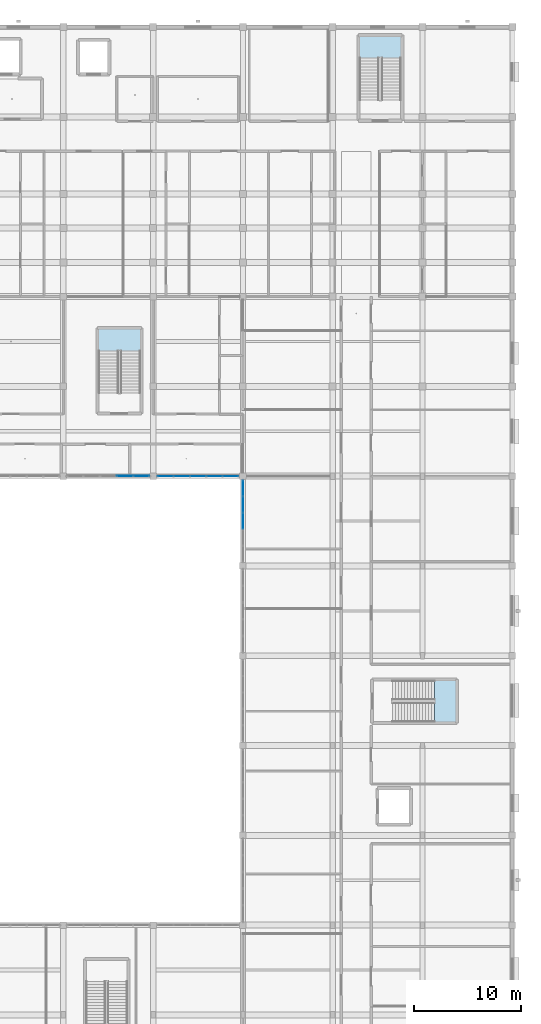
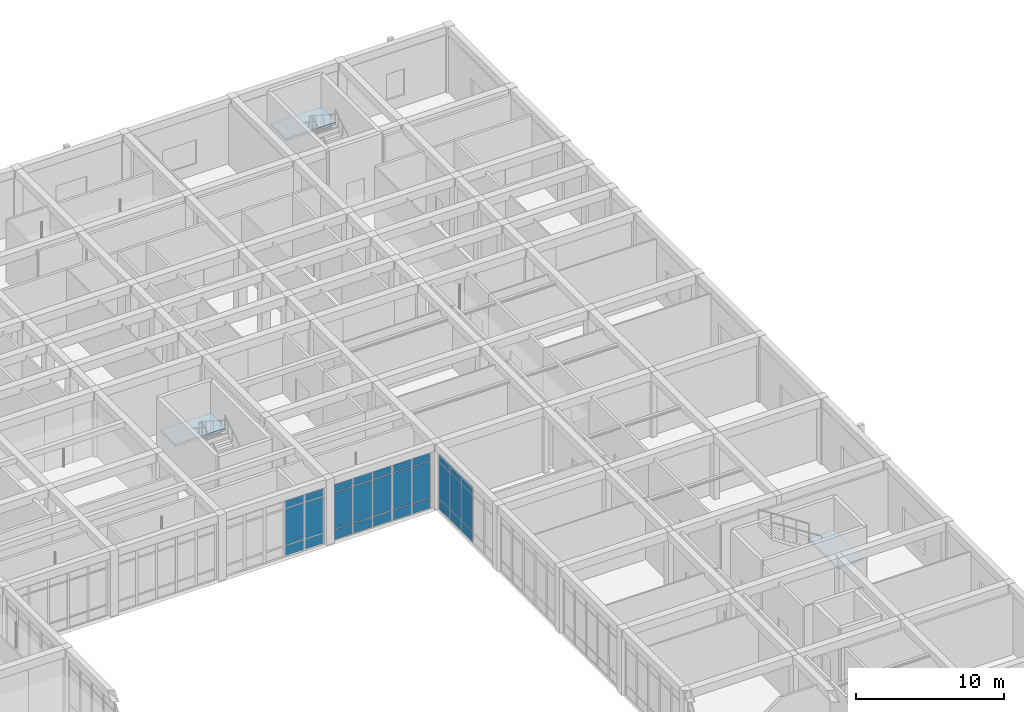
# One storey, part 74 of 157: 30 plates, 3 slabs, 6 elements without a shape of their own.
"""IFC4 building model written with IfcOpenShell, lengths in metres."""

import ifcopenshell
import ifcopenshell.guid

model = None  # the IFC model being written
_history = None  # IfcOwnerHistory: only IFC2X3 demands one
_inside = {}  # id of a spatial element -> (the spatial element, [elements in it])
_under = {}  # id of a project, library or spatial element -> (it, [spatial elements below it])
_declared = {}  # id of a project -> (the project, [libraries it declares])
_typed = {}  # id of a type object -> (the type object, [elements of that type])
_made_of = {}  # id of a material, layer set ... -> (it, [elements and type objects made of it])


def new_model(schema):
    """Start an empty IFC model of exactly this schema.

    Asked for "IFC4X3", IfcOpenShell would pick the latest addendum, in which some entities
    have other attributes; the version numbers below select the first issue.
    IFC2X3 requires an IfcOwnerHistory on every rooted entity: one is made here for all.
    """
    global model, _history
    if schema == "IFC4X3":
        model = ifcopenshell.file(schema_version=(4, 3, 0, 0))
    else:
        model = ifcopenshell.file(schema=schema)
    _inside.clear()
    _under.clear()
    _declared.clear()
    _typed.clear()
    _made_of.clear()
    _history = None
    if model.schema == "IFC2X3":
        org = make("IfcOrganization", Name="unknown")
        user = make(
            "IfcPersonAndOrganization",
            ThePerson=make("IfcPerson", FamilyName="unknown"),
            TheOrganization=org,
        )
        app = make(
            "IfcApplication",
            ApplicationDeveloper=org,
            Version="unknown",
            ApplicationFullName="unknown",
            ApplicationIdentifier="unknown",
        )
        _history = make(
            "IfcOwnerHistory",
            OwningUser=user,
            OwningApplication=app,
            ChangeAction="ADDED",
            CreationDate=0,
        )
    return model


def make(cls, **values):
    """One entity of the class cls with the attributes given. An attribute that is None is left unset."""
    return model.create_entity(
        cls, **{name: value for name, value in values.items() if value is not None}
    )


def rooted(cls, **values):
    """An entity with a GlobalId (a new one), such as an element, a storey or a relation."""
    return make(cls, GlobalId=ifcopenshell.guid.new(), OwnerHistory=_history, **values)


def si_unit(unit_type, name, prefix=None):
    """IfcSIUnit, for example si_unit("LENGTHUNIT", "METRE", prefix="MILLI")."""
    return make("IfcSIUnit", UnitType=unit_type, Prefix=prefix, Name=name)


def assignment(units):
    """IfcUnitAssignment: the units of a project."""
    return None if units is None else make("IfcUnitAssignment", Units=units)


def point(xyz):
    """IfcCartesianPoint."""
    return None if xyz is None else make("IfcCartesianPoint", Coordinates=xyz)


def direction(xyz):
    """IfcDirection."""
    return None if xyz is None else make("IfcDirection", DirectionRatios=xyz)


def frame(location, z_axis=None, x_axis=None):
    """IfcAxis2Placement3D, a coordinate frame: its origin and axes. An axis left out is left unset."""
    return make(
        "IfcAxis2Placement3D",
        Location=point(location),
        Axis=direction(z_axis),
        RefDirection=direction(x_axis),
    )


def frame_2d(location, x_axis=None):
    """IfcAxis2Placement2D, a coordinate frame in the plane: its origin and x axis."""
    return make(
        "IfcAxis2Placement2D", Location=point(location), RefDirection=direction(x_axis)
    )


def origin():
    """The frame at (0, 0, 0) with its axes left unset."""
    return frame((0.0, 0.0, 0.0))


def origin_2d():
    """The frame at (0, 0) in the plane with its x axis left unset."""
    return frame_2d((0.0, 0.0))


def place(relative_to, where):
    """IfcLocalPlacement: puts the frame where relative to a parent placement (None: the world)."""
    return make(
        "IfcLocalPlacement", PlacementRelTo=relative_to, RelativePlacement=where
    )


def context(
    kind, dimensions, precision=None, world=None, true_north=None, identifier=None
):
    """IfcGeometricRepresentationContext, for example the 3D "Model" context."""
    return make(
        "IfcGeometricRepresentationContext",
        ContextIdentifier=identifier,
        ContextType=kind,
        CoordinateSpaceDimension=dimensions,
        Precision=precision,
        WorldCoordinateSystem=world,
        TrueNorth=true_north,
    )


def subcontext(parent, identifier, kind, view, scale=None):
    """IfcGeometricRepresentationSubContext, for example "Body" below "Model"."""
    return make(
        "IfcGeometricRepresentationSubContext",
        ContextIdentifier=identifier,
        ContextType=kind,
        ParentContext=parent,
        TargetScale=scale,
        TargetView=view,
    )


def project(units=None, contexts=None):
    """IfcProject with its units and contexts."""
    return rooted(
        "IfcProject",
        Name="project",
        RepresentationContexts=contexts,
        UnitsInContext=assignment(units),
    )


def spatial(cls, under=None, at=None, **own):
    """A site, building, storey or space (cls), placed at a placement, below another one or the project."""
    s = rooted(cls, ObjectPlacement=at, **own)
    if under is not None:
        _under.setdefault(under.id(), (under, []))[1].append(s)
    return s


def polyline(points):
    """IfcPolyline through the points."""
    return make("IfcPolyline", Points=[point(p) for p in points])


def profile(cls, at=None, kind="AREA", **sizes):
    """A parametric profile (cls). Its sizes go by their IFC names, for example OverallWidth=200.0."""
    return make(cls, ProfileType=kind, Position=at, **sizes)


def rectangle(**sizes):
    """IfcRectangleProfileDef."""
    return profile("IfcRectangleProfileDef", **sizes)


def outline(outer, holes=None, kind="AREA"):
    """IfcArbitraryClosedProfileDef: a profile drawn as a closed curve; with holes, ...WithVoids."""
    if holes is None:
        return make("IfcArbitraryClosedProfileDef", ProfileType=kind, OuterCurve=outer)
    return make(
        "IfcArbitraryProfileDefWithVoids",
        ProfileType=kind,
        OuterCurve=outer,
        InnerCurves=holes,
    )


def extrude(swept, where, along, depth):
    """IfcExtrudedAreaSolid: the profile swept, set in the frame where, extruded along a direction by depth."""
    return make(
        "IfcExtrudedAreaSolid",
        SweptArea=swept,
        Position=where,
        ExtrudedDirection=direction(along),
        Depth=depth,
    )


def shape(context_of_items, identifier, shape_type, items):
    """IfcShapeRepresentation: the items that make up one representation, for example the "Body"."""
    return make(
        "IfcShapeRepresentation",
        ContextOfItems=context_of_items,
        RepresentationIdentifier=identifier,
        RepresentationType=shape_type,
        Items=items,
    )


def material(Name=None, Category=None):
    """IfcMaterial."""
    return make("IfcMaterial", Name=Name, Category=Category)


def layer(
    of_material, thickness, ventilated=None, Name=None, Category=None, Priority=None
):
    """IfcMaterialLayer: one layer of a wall or slab, of a material (None: an air gap)."""
    return make(
        "IfcMaterialLayer",
        Material=of_material,
        LayerThickness=thickness,
        IsVentilated=ventilated,
        Name=Name,
        Category=Category,
        Priority=Priority,
    )


def layer_set(layers, Name=None):
    """IfcMaterialLayerSet."""
    return make("IfcMaterialLayerSet", MaterialLayers=layers, LayerSetName=Name)


def made_of(thing, what):
    """Note that an element or type object is made of a material, layer set ...; save() writes the relation."""
    if what is not None:
        _made_of.setdefault(what.id(), (what, []))[1].append(thing)
    return thing


def type_object(cls, material=None, **own):
    """A type object (cls), such as IfcWallType, which elements share."""
    return made_of(rooted(cls, **own), material)


def element(
    cls,
    number,
    at=None,
    inside=None,
    cuts=None,
    type_object=None,
    material=None,
    context=None,
    identifier="Body",
    shape_type=None,
    held_by="IfcProductDefinitionShape",
    body=None,
    shapes=None,
    **own,
):
    """One element of the class cls, such as IfcWall. Its Tag is "e" and its number.

    at: its placement. inside: the storey or other place that contains it. cuts: it is an
    opening in that element (IfcRelVoidsElement). A single representation is given by context,
    identifier, shape_type and body (its items); several are given by shapes. held_by: the class
    of the entity that holds the representations. save() writes the other relations.
    """
    e = rooted(cls, Tag="e%d" % number, ObjectPlacement=at, **own)
    if body is not None:
        shapes = [shape(context, identifier, shape_type, body)]
    if shapes is not None:
        e.Representation = make(held_by, Representations=shapes)
    if inside is not None:
        _inside.setdefault(inside.id(), (inside, []))[1].append(e)
    if cuts is not None:
        rooted(
            "IfcRelVoidsElement", RelatingBuildingElement=cuts, RelatedOpeningElement=e
        )
    if type_object is not None:
        _typed.setdefault(type_object.id(), (type_object, []))[1].append(e)
    return made_of(e, material)


def aggregate(whole, parts):
    """IfcRelAggregates: a whole, such as a stair, and the parts it consists of."""
    return rooted("IfcRelAggregates", RelatingObject=whole, RelatedObjects=parts)


def save(model, path):
    """Write the relations noted so far, then the file.

    IfcRelAggregates (storeys below a building ...), IfcRelContainedInSpatialStructure (elements
    in a storey), IfcRelDefinesByType, IfcRelAssociatesMaterial and IfcRelDeclares: one each for
    every whole, place, type object, material and project.
    """
    for whole, parts in _under.values():
        aggregate(whole, parts)
    for where, things in _inside.values():
        rooted(
            "IfcRelContainedInSpatialStructure",
            RelatedElements=things,
            RelatingStructure=where,
        )
    for kind, things in _typed.values():
        rooted("IfcRelDefinesByType", RelatedObjects=things, RelatingType=kind)
    for what, things in _made_of.values():
        rooted("IfcRelAssociatesMaterial", RelatedObjects=things, RelatingMaterial=what)
    for by, libraries in _declared.values():
        rooted("IfcRelDeclares", RelatingContext=by, RelatedDefinitions=libraries)
    model.write(path)


model = new_model("IFC4")

# Units and contexts
model_context = context("Model", 3, precision=1e-05, world=origin(), true_north=direction((0.0, 1.0)))
body_context = subcontext(model_context, "Body", "Model", "MODEL_VIEW")
ifc_project = project(units=[si_unit("LENGTHUNIT", "METRE"), si_unit("AREAUNIT", "SQUARE_METRE"), si_unit("VOLUMEUNIT", "CUBIC_METRE"), si_unit("PLANEANGLEUNIT", "RADIAN"), si_unit("MASSUNIT", "GRAM", prefix="KILO")], contexts=[model_context])

# Site, building, storey
site_placement = place(None, origin())
site = spatial("IfcSite", under=ifc_project, at=site_placement, CompositionType="ELEMENT")
building_placement = place(site_placement, origin())
building = spatial("IfcBuilding", under=site, at=building_placement, Name="Varncliffe General Hospital", CompositionType="ELEMENT")
storey_placement = place(building_placement, frame((0.0, 0.0, 5.39990234375)))
storey = spatial("IfcBuildingStorey", under=building, at=storey_placement, Name="L01", CompositionType="ELEMENT", Elevation=5.39990234375)

# Curtain wall, plates
ifc_material_1 = material(Name="Triple low-E argon insulated vision glazing", Category="glass")
curtain_wall_type_1 = type_object("IfcCurtainWallType", Name="Unitised Glazed Curtain Wall CW70 (7724x4640)", PredefinedType="USERDEFINED", material=ifc_material_1)
curtain_wall_1_placement = place(storey_placement, origin())
curtain_wall_1 = element("IfcCurtainWall", 1, at=curtain_wall_1_placement, inside=storey, type_object=curtain_wall_type_1, Name="L01 Glazed Curtain Wall CW70-67", ObjectType="GLAZED CURTAIN WALL", PredefinedType="USERDEFINED")
ifc_layer_1 = layer(ifc_material_1, 0.0439453125)
ifc_layer_set_1 = layer_set([ifc_layer_1], Name="Triple low-E argon insulated vision glazing")
plate_type_1 = type_object("IfcPlateType", Name="Curtain Wall Glazing Panel CP12 (44mm)", PredefinedType="CURTAIN_PANEL", material=ifc_layer_set_1)
plate_1_placement = place(storey_placement, frame((151.199951171875, 78.60009765625, 0.06005859375), z_axis=(0.0, 0.0, 1.0), x_axis=(0.0, 1.0, 0.0)))
plate_1 = element("IfcPlate", 2, at=plate_1_placement, type_object=plate_type_1, Name="CW70 panel 3.1", PredefinedType="CURTAIN_PANEL", context=body_context, shape_type="SweptSolid", body=[
    extrude(rectangle(XDim=1.4697265625, YDim=0.0439453125, at=origin_2d()), origin(), (0.0, 0.0, 1.0), 0.81005859375),
])
plate_2_placement = place(storey_placement, frame((151.199951171875, 78.60009765625, 0.93017578125), z_axis=(0.0, 0.0, 1.0), x_axis=(0.0, 1.0, 0.0)))
plate_2 = element("IfcPlate", 3, at=plate_2_placement, type_object=plate_type_1, Name="CW70 panel 3.2", PredefinedType="CURTAIN_PANEL", context=body_context, shape_type="SweptSolid", body=[
    extrude(rectangle(XDim=1.4697265625, YDim=0.0439453125, at=origin_2d()), origin(), (0.0, 0.0, 1.0), 2.97998046875),
])
plate_3_placement = place(storey_placement, frame((151.199951171875, 78.60009765625, 3.97021484375), z_axis=(0.0, 0.0, 1.0), x_axis=(0.0, 1.0, 0.0)))
plate_3 = element("IfcPlate", 4, at=plate_3_placement, type_object=plate_type_1, Name="CW70 panel 3.3", PredefinedType="CURTAIN_PANEL", context=body_context, shape_type="SweptSolid", body=[
    extrude(rectangle(XDim=1.4697265625, YDim=0.0439453125, at=origin_2d()), origin(), (0.0, 0.0, 1.0), 0.610107421875),
])
plate_4_placement = place(storey_placement, frame((151.199951171875, 80.144775390625, 0.06005859375), z_axis=(0.0, 0.0, 1.0), x_axis=(0.0, 1.0, 0.0)))
plate_4 = element("IfcPlate", 5, at=plate_4_placement, type_object=plate_type_1, Name="CW70 panel 4.1", PredefinedType="CURTAIN_PANEL", context=body_context, shape_type="SweptSolid", body=[
    extrude(rectangle(XDim=1.4697265625, YDim=0.0439453125, at=origin_2d()), origin(), (0.0, 0.0, 1.0), 0.81005859375),
])
plate_5_placement = place(storey_placement, frame((151.199951171875, 80.144775390625, 0.93017578125), z_axis=(0.0, 0.0, 1.0), x_axis=(0.0, 1.0, 0.0)))
plate_5 = element("IfcPlate", 6, at=plate_5_placement, type_object=plate_type_1, Name="CW70 panel 4.2", PredefinedType="CURTAIN_PANEL", context=body_context, shape_type="SweptSolid", body=[
    extrude(rectangle(XDim=1.4697265625, YDim=0.0439453125, at=origin_2d()), origin(), (0.0, 0.0, 1.0), 2.97998046875),
])
plate_6_placement = place(storey_placement, frame((151.199951171875, 80.144775390625, 3.97021484375), z_axis=(0.0, 0.0, 1.0), x_axis=(0.0, 1.0, 0.0)))
plate_6 = element("IfcPlate", 7, at=plate_6_placement, type_object=plate_type_1, Name="CW70 panel 4.3", PredefinedType="CURTAIN_PANEL", context=body_context, shape_type="SweptSolid", body=[
    extrude(rectangle(XDim=1.4697265625, YDim=0.0439453125, at=origin_2d()), origin(), (0.0, 0.0, 1.0), 0.610107421875),
])
plate_7_placement = place(storey_placement, frame((151.199951171875, 81.6708984375, 0.06005859375), z_axis=(0.0, 0.0, 1.0), x_axis=(0.0, 1.0, 0.0)))
plate_7 = element("IfcPlate", 8, at=plate_7_placement, type_object=plate_type_1, Name="CW70 panel 5.1", PredefinedType="CURTAIN_PANEL", context=body_context, shape_type="SweptSolid", body=[
    extrude(rectangle(XDim=1.432373046875, YDim=0.0439453125, at=origin_2d()), origin(), (0.0, 0.0, 1.0), 0.81005859375),
])
plate_8_placement = place(storey_placement, frame((151.199951171875, 81.6708984375, 0.93017578125), z_axis=(0.0, 0.0, 1.0), x_axis=(0.0, 1.0, 0.0)))
plate_8 = element("IfcPlate", 9, at=plate_8_placement, type_object=plate_type_1, Name="CW70 panel 5.2", PredefinedType="CURTAIN_PANEL", context=body_context, shape_type="SweptSolid", body=[
    extrude(rectangle(XDim=1.432373046875, YDim=0.0439453125, at=origin_2d()), origin(), (0.0, 0.0, 1.0), 2.97998046875),
])
plate_9_placement = place(storey_placement, frame((151.199951171875, 81.6708984375, 3.97021484375), z_axis=(0.0, 0.0, 1.0), x_axis=(0.0, 1.0, 0.0)))
plate_9 = element("IfcPlate", 10, at=plate_9_placement, type_object=plate_type_1, Name="CW70 panel 5.3", PredefinedType="CURTAIN_PANEL", context=body_context, shape_type="SweptSolid", body=[
    extrude(rectangle(XDim=1.432373046875, YDim=0.0439453125, at=origin_2d()), origin(), (0.0, 0.0, 1.0), 0.610107421875),
])
aggregate(curtain_wall_1, [plate_1, plate_2, plate_3, plate_4, plate_5, plate_6, plate_7, plate_8, plate_9])

curtain_wall_type_2 = type_object("IfcCurtainWallType", Name="Unitised Glazed Curtain Wall CW85 (7804x4640)", PredefinedType="USERDEFINED", material=ifc_material_1)
curtain_wall_2_placement = place(storey_placement, origin())
curtain_wall_2 = element("IfcCurtainWall", 11, at=curtain_wall_2_placement, inside=storey, type_object=curtain_wall_type_2, Name="L01 Glazed Curtain Wall CW85-69", ObjectType="GLAZED CURTAIN WALL", PredefinedType="USERDEFINED")
ifc_layer_2 = layer(ifc_material_1, 0.035888671875)
ifc_layer_set_2 = layer_set([ifc_layer_2], Name="Triple low-E argon insulated vision glazing")
plate_type_2 = type_object("IfcPlateType", Name="Curtain Wall Glazing Panel CP27 (36mm)", PredefinedType="CURTAIN_PANEL", material=ifc_layer_set_2)
plate_10_placement = place(storey_placement, frame((141.702880859375, 82.800048828125, 0.06494140625), z_axis=(0.0, 0.0, 1.0), x_axis=(-1.0, 0.0, 0.0)))
plate_10 = element("IfcPlate", 12, at=plate_10_placement, type_object=plate_type_2, Name="CW85 panel 1.1", PredefinedType="CURTAIN_PANEL", context=body_context, shape_type="SweptSolid", body=[
    extrude(rectangle(XDim=1.4482421875, YDim=0.035888671875, at=origin_2d()), origin(), (0.0, 0.0, 1.0), 0.802490234375),
])
plate_11_placement = place(storey_placement, frame((141.702880859375, 82.800048828125, 0.9326171875), z_axis=(0.0, 0.0, 1.0), x_axis=(-1.0, 0.0, 0.0)))
plate_11 = element("IfcPlate", 13, at=plate_11_placement, type_object=plate_type_2, Name="CW85 panel 1.2", PredefinedType="CURTAIN_PANEL", context=body_context, shape_type="SweptSolid", body=[
    extrude(rectangle(XDim=1.4482421875, YDim=0.035888671875, at=origin_2d()), origin(), (0.0, 0.0, 1.0), 2.97509765625),
])
plate_12_placement = place(storey_placement, frame((141.702880859375, 82.800048828125, 3.97265625), z_axis=(0.0, 0.0, 1.0), x_axis=(-1.0, 0.0, 0.0)))
plate_12 = element("IfcPlate", 14, at=plate_12_placement, type_object=plate_type_2, Name="CW85 panel 1.3", PredefinedType="CURTAIN_PANEL", context=body_context, shape_type="SweptSolid", body=[
    extrude(rectangle(XDim=1.4482421875, YDim=0.035888671875, at=origin_2d()), origin(), (0.0, 0.0, 1.0), 0.6025390625),
])
plate_13_placement = place(storey_placement, frame((140.160888671875, 82.800048828125, 0.06494140625), z_axis=(0.0, 0.0, 1.0), x_axis=(-1.0, 0.0, 0.0)))
plate_13 = element("IfcPlate", 15, at=plate_13_placement, type_object=plate_type_2, Name="CW85 panel 2.1", PredefinedType="CURTAIN_PANEL", context=body_context, shape_type="SweptSolid", body=[
    extrude(rectangle(XDim=1.48583984375, YDim=0.035888671875, at=origin_2d()), origin(), (0.0, 0.0, 1.0), 0.802490234375),
])
plate_14_placement = place(storey_placement, frame((140.160888671875, 82.800048828125, 0.9326171875), z_axis=(0.0, 0.0, 1.0), x_axis=(-1.0, 0.0, 0.0)))
plate_14 = element("IfcPlate", 16, at=plate_14_placement, type_object=plate_type_2, Name="CW85 panel 2.2", PredefinedType="CURTAIN_PANEL", context=body_context, shape_type="SweptSolid", body=[
    extrude(rectangle(XDim=1.48583984375, YDim=0.035888671875, at=origin_2d()), origin(), (0.0, 0.0, 1.0), 2.97509765625),
])
plate_15_placement = place(storey_placement, frame((140.160888671875, 82.800048828125, 3.97265625), z_axis=(0.0, 0.0, 1.0), x_axis=(-1.0, 0.0, 0.0)))
plate_15 = element("IfcPlate", 17, at=plate_15_placement, type_object=plate_type_2, Name="CW85 panel 2.3", PredefinedType="CURTAIN_PANEL", context=body_context, shape_type="SweptSolid", body=[
    extrude(rectangle(XDim=1.48583984375, YDim=0.035888671875, at=origin_2d()), origin(), (0.0, 0.0, 1.0), 0.6025390625),
])
aggregate(curtain_wall_2, [plate_10, plate_11, plate_12, plate_13, plate_14, plate_15])

curtain_wall_type_3 = type_object("IfcCurtainWallType", Name="Unitised Glazed Curtain Wall CW27 (7644x4640)", PredefinedType="USERDEFINED", material=ifc_material_1)
curtain_wall_3_placement = place(storey_placement, origin())
curtain_wall_3 = element("IfcCurtainWall", 18, at=curtain_wall_3_placement, inside=storey, type_object=curtain_wall_type_3, Name="L01 Glazed Curtain Wall CW27-68", ObjectType="GLAZED CURTAIN WALL", PredefinedType="USERDEFINED")
ifc_layer_3 = layer(ifc_material_1, 0.028076171875)
ifc_layer_set_3 = layer_set([ifc_layer_3], Name="Triple low-E argon insulated vision glazing")
plate_type_3 = type_object("IfcPlateType", Name="Curtain Wall Glazing Panel CP48 (28mm)", PredefinedType="CURTAIN_PANEL", material=ifc_layer_set_3)
plate_16_placement = place(storey_placement, frame((150.041259765625, 82.800048828125, 0.06005859375), z_axis=(0.0, 0.0, 1.0), x_axis=(-1.0, 0.0, 0.0)))
plate_16 = element("IfcPlate", 19, at=plate_16_placement, type_object=plate_type_3, Name="CW27 panel 1.1", PredefinedType="CURTAIN_PANEL", context=body_context, shape_type="SweptSolid", body=[
    extrude(rectangle(XDim=1.431396484375, YDim=0.028076171875, at=origin_2d()), origin(), (0.0, 0.0, 1.0), 0.81005859375),
])
plate_17_placement = place(storey_placement, frame((150.041259765625, 82.800048828125, 0.93017578125), z_axis=(0.0, 0.0, 1.0), x_axis=(-1.0, 0.0, 0.0)))
plate_17 = element("IfcPlate", 20, at=plate_17_placement, type_object=plate_type_3, Name="CW27 panel 1.2", PredefinedType="CURTAIN_PANEL", context=body_context, shape_type="SweptSolid", body=[
    extrude(rectangle(XDim=1.431396484375, YDim=0.028076171875, at=origin_2d()), origin(), (0.0, 0.0, 1.0), 2.97998046875),
])
plate_18_placement = place(storey_placement, frame((150.041259765625, 82.800048828125, 3.97021484375), z_axis=(0.0, 0.0, 1.0), x_axis=(-1.0, 0.0, 0.0)))
plate_18 = element("IfcPlate", 21, at=plate_18_placement, type_object=plate_type_3, Name="CW27 panel 1.3", PredefinedType="CURTAIN_PANEL", context=body_context, shape_type="SweptSolid", body=[
    extrude(rectangle(XDim=1.431396484375, YDim=0.028076171875, at=origin_2d()), origin(), (0.0, 0.0, 1.0), 0.610107421875),
])
plate_19_placement = place(storey_placement, frame((148.52880859375, 82.800048828125, 0.06005859375), z_axis=(0.0, 0.0, 1.0), x_axis=(-1.0, 0.0, 0.0)))
plate_19 = element("IfcPlate", 22, at=plate_19_placement, type_object=plate_type_3, Name="CW27 panel 2.1", PredefinedType="CURTAIN_PANEL", context=body_context, shape_type="SweptSolid", body=[
    extrude(rectangle(XDim=1.4638671875, YDim=0.028076171875, at=origin_2d()), origin(), (0.0, 0.0, 1.0), 0.81005859375),
])
plate_20_placement = place(storey_placement, frame((148.52880859375, 82.800048828125, 0.93017578125), z_axis=(0.0, 0.0, 1.0), x_axis=(-1.0, 0.0, 0.0)))
plate_20 = element("IfcPlate", 23, at=plate_20_placement, type_object=plate_type_3, Name="CW27 panel 2.2", PredefinedType="CURTAIN_PANEL", context=body_context, shape_type="SweptSolid", body=[
    extrude(rectangle(XDim=1.4638671875, YDim=0.028076171875, at=origin_2d()), origin(), (0.0, 0.0, 1.0), 2.97998046875),
])
plate_21_placement = place(storey_placement, frame((148.52880859375, 82.800048828125, 3.97021484375), z_axis=(0.0, 0.0, 1.0), x_axis=(-1.0, 0.0, 0.0)))
plate_21 = element("IfcPlate", 24, at=plate_21_placement, type_object=plate_type_3, Name="CW27 panel 2.3", PredefinedType="CURTAIN_PANEL", context=body_context, shape_type="SweptSolid", body=[
    extrude(rectangle(XDim=1.4638671875, YDim=0.028076171875, at=origin_2d()), origin(), (0.0, 0.0, 1.0), 0.610107421875),
])
plate_22_placement = place(storey_placement, frame((147.0, 82.800048828125, 0.06005859375), z_axis=(0.0, 0.0, 1.0), x_axis=(-1.0, 0.0, 0.0)))
plate_22 = element("IfcPlate", 25, at=plate_22_placement, type_object=plate_type_3, Name="CW27 panel 3.1", PredefinedType="CURTAIN_PANEL", context=body_context, shape_type="SweptSolid", body=[
    extrude(rectangle(XDim=1.4638671875, YDim=0.028076171875, at=origin_2d()), origin(), (0.0, 0.0, 1.0), 0.81005859375),
])
plate_23_placement = place(storey_placement, frame((147.0, 82.800048828125, 0.93017578125), z_axis=(0.0, 0.0, 1.0), x_axis=(-1.0, 0.0, 0.0)))
plate_23 = element("IfcPlate", 26, at=plate_23_placement, type_object=plate_type_3, Name="CW27 panel 3.2", PredefinedType="CURTAIN_PANEL", context=body_context, shape_type="SweptSolid", body=[
    extrude(rectangle(XDim=1.4638671875, YDim=0.028076171875, at=origin_2d()), origin(), (0.0, 0.0, 1.0), 2.97998046875),
])
plate_24_placement = place(storey_placement, frame((147.0, 82.800048828125, 3.97021484375), z_axis=(0.0, 0.0, 1.0), x_axis=(-1.0, 0.0, 0.0)))
plate_24 = element("IfcPlate", 27, at=plate_24_placement, type_object=plate_type_3, Name="CW27 panel 3.3", PredefinedType="CURTAIN_PANEL", context=body_context, shape_type="SweptSolid", body=[
    extrude(rectangle(XDim=1.4638671875, YDim=0.028076171875, at=origin_2d()), origin(), (0.0, 0.0, 1.0), 0.610107421875),
])
plate_25_placement = place(storey_placement, frame((145.47119140625, 82.800048828125, 0.06005859375), z_axis=(0.0, 0.0, 1.0), x_axis=(-1.0, 0.0, 0.0)))
plate_25 = element("IfcPlate", 28, at=plate_25_placement, type_object=plate_type_3, Name="CW27 panel 4.1", PredefinedType="CURTAIN_PANEL", context=body_context, shape_type="SweptSolid", body=[
    extrude(rectangle(XDim=1.4638671875, YDim=0.028076171875, at=origin_2d()), origin(), (0.0, 0.0, 1.0), 0.81005859375),
])
plate_26_placement = place(storey_placement, frame((145.47119140625, 82.800048828125, 0.93017578125), z_axis=(0.0, 0.0, 1.0), x_axis=(-1.0, 0.0, 0.0)))
plate_26 = element("IfcPlate", 29, at=plate_26_placement, type_object=plate_type_3, Name="CW27 panel 4.2", PredefinedType="CURTAIN_PANEL", context=body_context, shape_type="SweptSolid", body=[
    extrude(rectangle(XDim=1.4638671875, YDim=0.028076171875, at=origin_2d()), origin(), (0.0, 0.0, 1.0), 2.97998046875),
])
plate_27_placement = place(storey_placement, frame((145.47119140625, 82.800048828125, 3.97021484375), z_axis=(0.0, 0.0, 1.0), x_axis=(-1.0, 0.0, 0.0)))
plate_27 = element("IfcPlate", 30, at=plate_27_placement, type_object=plate_type_3, Name="CW27 panel 4.3", PredefinedType="CURTAIN_PANEL", context=body_context, shape_type="SweptSolid", body=[
    extrude(rectangle(XDim=1.4638671875, YDim=0.028076171875, at=origin_2d()), origin(), (0.0, 0.0, 1.0), 0.610107421875),
])
plate_28_placement = place(storey_placement, frame((143.958740234375, 82.800048828125, 0.06005859375), z_axis=(0.0, 0.0, 1.0), x_axis=(-1.0, 0.0, 0.0)))
plate_28 = element("IfcPlate", 31, at=plate_28_placement, type_object=plate_type_3, Name="CW27 panel 5.1", PredefinedType="CURTAIN_PANEL", context=body_context, shape_type="SweptSolid", body=[
    extrude(rectangle(XDim=1.431396484375, YDim=0.028076171875, at=origin_2d()), origin(), (0.0, 0.0, 1.0), 0.81005859375),
])
plate_29_placement = place(storey_placement, frame((143.958740234375, 82.800048828125, 0.93017578125), z_axis=(0.0, 0.0, 1.0), x_axis=(-1.0, 0.0, 0.0)))
plate_29 = element("IfcPlate", 32, at=plate_29_placement, type_object=plate_type_3, Name="CW27 panel 5.2", PredefinedType="CURTAIN_PANEL", context=body_context, shape_type="SweptSolid", body=[
    extrude(rectangle(XDim=1.431396484375, YDim=0.028076171875, at=origin_2d()), origin(), (0.0, 0.0, 1.0), 2.97998046875),
])
plate_30_placement = place(storey_placement, frame((143.958740234375, 82.800048828125, 3.97021484375), z_axis=(0.0, 0.0, 1.0), x_axis=(-1.0, 0.0, 0.0)))
plate_30 = element("IfcPlate", 33, at=plate_30_placement, type_object=plate_type_3, Name="CW27 panel 5.3", PredefinedType="CURTAIN_PANEL", context=body_context, shape_type="SweptSolid", body=[
    extrude(rectangle(XDim=1.431396484375, YDim=0.028076171875, at=origin_2d()), origin(), (0.0, 0.0, 1.0), 0.610107421875),
])
aggregate(curtain_wall_3, [plate_16, plate_17, plate_18, plate_19, plate_20, plate_21, plate_22, plate_23, plate_24, plate_25, plate_26, plate_27, plate_28, plate_29, plate_30])

# Stair, slab
ifc_material_2 = material(Name="Concrete C35/45 (CSA A23.1 35 MPa)", Category="concrete")
stair_type = type_object("IfcStairType", Name="Hospital Stair Assembly ST-T02 (1850w-5400h)", PredefinedType="TWO_STRAIGHT_RUN_STAIR", material=ifc_material_2)
stair_1_placement = place(storey_placement, origin())
stair_1 = element("IfcStair", 34, at=stair_1_placement, inside=storey, type_object=stair_type, Name="L01 North-East Ward Exit Stair 4", PredefinedType="TWO_STRAIGHT_RUN_STAIR")
ifc_layer_4 = layer(ifc_material_2, 0.199951171875)
ifc_layer_set_4 = layer_set([ifc_layer_4], Name="Concrete C35/45 (CSA A23.1 35 MPa)")
slab_type = type_object("IfcSlabType", Name="Reinforced Concrete Stair Landing LND50 (200mm)", PredefinedType="LANDING", material=ifc_layer_set_4)
slab_1_placement = place(storey_placement, frame((0.0, 0.0, 2.5)))
slab_1 = element("IfcSlab", 35, at=slab_1_placement, type_object=slab_type, Name="ST04 landing 1", PredefinedType="LANDING", context=body_context, shape_type="SweptSolid", body=[
    extrude(outline(polyline([(166.0, 121.919921875), (166.0, 123.949951171875), (162.10009765625, 123.949951171875), (162.10009765625, 121.919921875), (166.0, 121.919921875)])), origin(), (0.0, 0.0, 1.0), 0.2001953125),
])
aggregate(stair_1, [slab_1])

stair_2_placement = place(storey_placement, origin())
stair_2 = element("IfcStair", 36, at=stair_2_placement, inside=storey, type_object=stair_type, Name="L01 Outpatient East Exit Stair 7", PredefinedType="TWO_STRAIGHT_RUN_STAIR")
slab_2_placement = place(storey_placement, frame((0.0, 0.0, 2.5)))
slab_2 = element("IfcSlab", 37, at=slab_2_placement, type_object=slab_type, Name="ST07 landing 1", PredefinedType="LANDING", context=body_context, shape_type="SweptSolid", body=[
    extrude(outline(polyline([(169.1201171875, 59.800048828125), (171.14990234375, 59.800048828125), (171.14990234375, 63.699951171875), (169.1201171875, 63.699951171875), (169.1201171875, 59.800048828125)])), origin(), (0.0, 0.0, 1.0), 0.2001953125),
])
aggregate(stair_2, [slab_2])

stair_3_placement = place(storey_placement, origin())
stair_3 = element("IfcStair", 38, at=stair_3_placement, inside=storey, type_object=stair_type, Name="L01 East-Central Clinical Exit Stair 14", PredefinedType="TWO_STRAIGHT_RUN_STAIR")
slab_3_placement = place(storey_placement, frame((0.0, 0.0, 2.5)))
slab_3 = element("IfcSlab", 39, at=slab_3_placement, type_object=slab_type, Name="ST14 landing 1", PredefinedType="LANDING", context=body_context, shape_type="SweptSolid", body=[
    extrude(outline(polyline([(141.60009765625, 94.52001953125), (141.60009765625, 96.550048828125), (137.699951171875, 96.550048828125), (137.699951171875, 94.52001953125), (141.60009765625, 94.52001953125)])), origin(), (0.0, 0.0, 1.0), 0.2001953125),
])
aggregate(stair_3, [slab_3])

save(model, "model.ifc")
